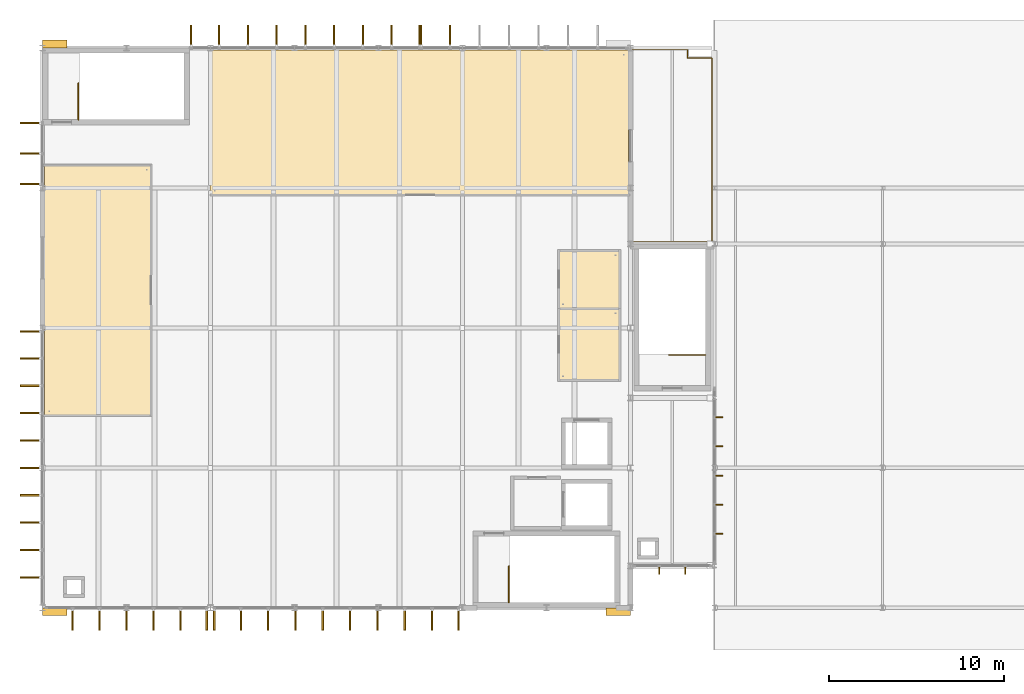
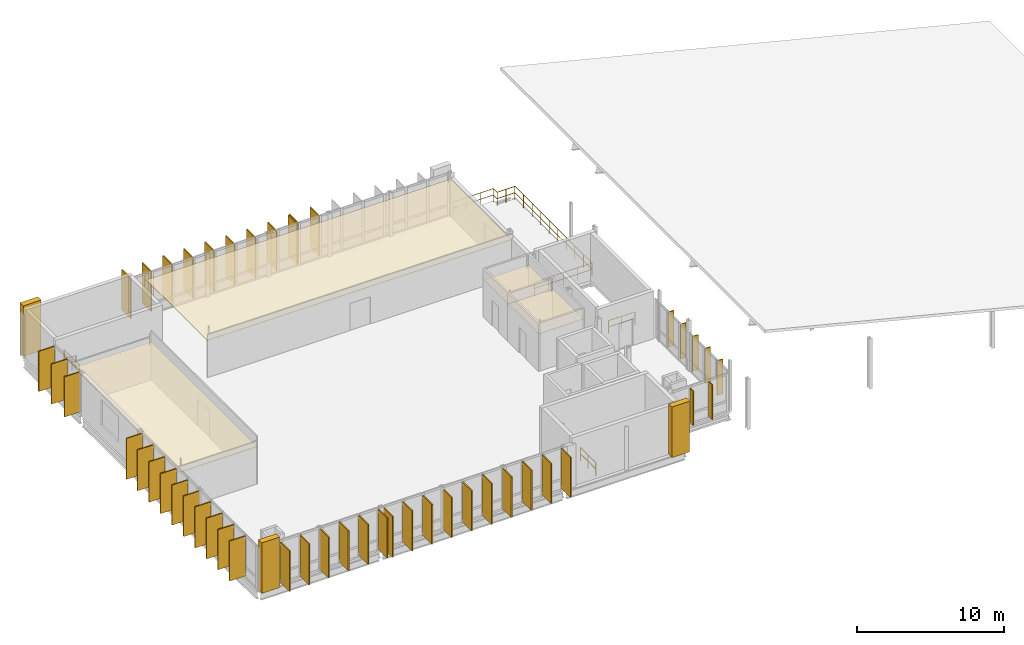
# One storey, part 21 of 22: 47 coverings, 7 shading devices, 4 railings.
"""IFC4 building model written with IfcOpenShell, lengths in metres."""

from ifc_helpers import new_model, si_unit, direction, frame, origin, origin_2d, place, context, subcontext, project, spatial, polyline, rectangle, circle, outline, extrude, material, layer, layer_set, type_object, element, save


model = new_model("IFC4")

# Units and contexts
model_context = context("Model", 3, precision=1e-05, world=origin(), true_north=direction((0.0, 1.0)))
body_context = subcontext(model_context, "Body", "Model", "MODEL_VIEW")
ifc_project = project(units=[si_unit("LENGTHUNIT", "METRE"), si_unit("AREAUNIT", "SQUARE_METRE"), si_unit("VOLUMEUNIT", "CUBIC_METRE"), si_unit("PLANEANGLEUNIT", "RADIAN"), si_unit("MASSUNIT", "GRAM", prefix="KILO")], contexts=[model_context])

# Site, building, storey
site_placement = place(None, origin())
site = spatial("IfcSite", under=ifc_project, at=site_placement, CompositionType="ELEMENT")
building_placement = place(site_placement, origin())
building = spatial("IfcBuilding", under=site, at=building_placement, Name="Dunescarp Central Library", CompositionType="ELEMENT")
storey_placement = place(building_placement, frame((0.0, 0.0, 27.60009765625)))
storey = spatial("IfcBuildingStorey", under=building, at=storey_placement, Name="L06", CompositionType="ELEMENT", Elevation=27.60009765625)

# Coverings
ifc_material_1 = material(Name="Perforated birch acoustic timber baffle", Category="wood")
ifc_layer_1 = layer(ifc_material_1, 0.050048828125)
ifc_layer_set_1 = layer_set([ifc_layer_1], Name="Perforated birch acoustic timber baffle")
covering_type_1 = type_object("IfcCoveringType", Name="ARC-COV-BAFFLE", PredefinedType="CEILING", material=ifc_layer_set_1)
covering_1_placement = place(storey_placement, frame((0.0, 0.0, 3.0498046875)))
element("IfcCovering", 1, at=covering_1_placement, inside=storey, type_object=covering_type_1, Name="L06 ceiling Panoramic Coastal Reading Lounge", PredefinedType="CEILING", context=body_context, shape_type="SweptSolid", body=[
    extrude(outline(polyline([(0.1201171875, 15.780029296875), (6.219970703125, 15.780029296875), (6.219970703125, 30.1201171875), (0.1201171875, 30.1201171875), (0.1201171875, 15.780029296875)])), origin(), (0.0, 0.0, 1.0), 0.050048828125),
])
ifc_material_2 = material(Name="Mineral-fibre acoustic ceiling tile")
ifc_layer_2 = layer(ifc_material_2, 0.0400390625)
ifc_layer_set_2 = layer_set([ifc_layer_2], Name="Mineral-fibre acoustic ceiling tile")
covering_type_2 = type_object("IfcCoveringType", Name="ARC-COV-CEIL40", PredefinedType="CEILING", material=ifc_layer_set_2)
covering_2_placement = place(storey_placement, frame((0.0, 0.0, 3.0498046875)))
element("IfcCovering", 2, at=covering_2_placement, inside=storey, type_object=covering_type_2, Name="L06 ceiling Public Toilets", PredefinedType="CEILING", context=body_context, shape_type="SweptSolid", body=[
    extrude(outline(polyline([(29.47998046875, 17.780029296875), (33.02001953125, 17.780029296875), (33.02001953125, 21.919921875), (29.47998046875, 21.919921875), (29.47998046875, 17.780029296875)])), origin(), (0.0, 0.0, 1.0), 0.0400390625),
])
covering_3_placement = place(storey_placement, frame((0.0, 0.0, 3.0498046875)))
element("IfcCovering", 3, at=covering_3_placement, inside=storey, type_object=covering_type_2, Name="L06 ceiling Accessible Toilet", PredefinedType="CEILING", context=body_context, shape_type="SweptSolid", body=[
    extrude(outline(polyline([(29.47998046875, 21.8798828125), (33.02001953125, 21.8798828125), (33.02001953125, 25.219970703125), (29.47998046875, 25.219970703125), (29.47998046875, 21.8798828125)])), origin(), (0.0, 0.0, 1.0), 0.0400390625),
])
covering_4_placement = place(storey_placement, frame((0.0, 0.0, 3.0498046875)))
element("IfcCovering", 4, at=covering_4_placement, inside=storey, type_object=covering_type_2, Name="L06 ceiling Gridshell Quiet Scholars' Salon", PredefinedType="CEILING", context=body_context, shape_type="SweptSolid", body=[
    extrude(outline(polyline([(9.580078125, 28.3798828125), (33.47998046875, 28.3798828125), (33.47998046875, 36.679931640625), (9.580078125, 36.679931640625), (9.580078125, 28.3798828125)])), origin(), (0.0, 0.0, 1.0), 0.0400390625),
])
ifc_material_3 = material(Name="Glass-fibre reinforced concrete GRC", Category="concrete")
ifc_layer_3 = layer(ifc_material_3, 0.090087890625)
ifc_layer_set_3 = layer_set([ifc_layer_3], Name="Glass-fibre reinforced concrete GRC")
covering_type_3 = type_object("IfcCoveringType", Name="ARC-COV-FIN1250", PredefinedType="CLADDING", material=ifc_layer_set_3)
covering_5_placement = place(storey_placement, frame((9.385009765625, 4.137939453125, 0.1669921875), z_axis=(0.0, 0.0, 1.0), x_axis=(0.0, -1.0, 0.0)))
element("IfcCovering", 5, at=covering_5_placement, inside=storey, type_object=covering_type_3, Name="L06 parametric vertical facade fin FIN-L06-0267", PredefinedType="CLADDING", context=body_context, shape_type="SweptSolid", body=[
    extrude(rectangle(XDim=1.25, YDim=0.090087890625, at=origin_2d()), origin(), (0.0, 0.0, 1.0), 3.327880859375),
])
covering_6_placement = place(storey_placement, frame((7.883056640625, 4.137939453125, 0.180419921875), z_axis=(0.0, 0.0, 1.0), x_axis=(0.0, -1.0, 0.0)))
element("IfcCovering", 6, at=covering_6_placement, inside=storey, type_object=covering_type_3, Name="L06 parametric vertical facade fin FIN-L06-0268", PredefinedType="CLADDING", context=body_context, shape_type="SweptSolid", body=[
    extrude(rectangle(XDim=1.25, YDim=0.090087890625, at=origin_2d()), origin(), (0.0, 0.0, 1.0), 3.31494140625),
])
covering_7_placement = place(storey_placement, frame((6.342041015625, 4.137939453125, 0.163330078125), z_axis=(0.0, 0.0, 1.0), x_axis=(0.0, -1.0, 0.0)))
element("IfcCovering", 7, at=covering_7_placement, inside=storey, type_object=covering_type_3, Name="L06 parametric vertical facade fin FIN-L06-0269", PredefinedType="CLADDING", context=body_context, shape_type="SweptSolid", body=[
    extrude(rectangle(XDim=1.25, YDim=0.090087890625, at=origin_2d()), origin(), (0.0, 0.0, 1.0), 3.3310546875),
])
covering_8_placement = place(storey_placement, frame((4.800048828125, 4.137939453125, 0.122802734375), z_axis=(0.0, 0.0, 1.0), x_axis=(0.0, -1.0, 0.0)))
element("IfcCovering", 8, at=covering_8_placement, inside=storey, type_object=covering_type_3, Name="L06 parametric vertical facade fin FIN-L06-0270", PredefinedType="CLADDING", context=body_context, shape_type="SweptSolid", body=[
    extrude(rectangle(XDim=1.25, YDim=0.090087890625, at=origin_2d()), origin(), (0.0, 0.0, 1.0), 3.3720703125),
])
covering_9_placement = place(storey_placement, frame((3.258056640625, 4.137939453125, 0.080078125), z_axis=(0.0, 0.0, 1.0), x_axis=(0.0, -1.0, 0.0)))
element("IfcCovering", 9, at=covering_9_placement, inside=storey, type_object=covering_type_3, Name="L06 parametric vertical facade fin FIN-L06-0271", PredefinedType="CLADDING", context=body_context, shape_type="SweptSolid", body=[
    extrude(rectangle(XDim=1.25, YDim=0.090087890625, at=origin_2d()), origin(), (0.0, 0.0, 1.0), 3.404052734375),
])
covering_10_placement = place(storey_placement, frame((1.717041015625, 4.137939453125, 0.079833984375), z_axis=(0.0, 0.0, 1.0), x_axis=(0.0, -1.0, 0.0)))
element("IfcCovering", 10, at=covering_10_placement, inside=storey, type_object=covering_type_3, Name="L06 parametric vertical facade fin FIN-L06-0272", PredefinedType="CLADDING", context=body_context, shape_type="SweptSolid", body=[
    extrude(rectangle(XDim=1.25, YDim=0.090087890625, at=origin_2d()), origin(), (0.0, 0.0, 1.0), 3.35400390625),
])
covering_11_placement = place(storey_placement, frame((23.784912109375, 4.137939453125, 0.1669921875), z_axis=(0.0, 0.0, 1.0), x_axis=(0.0, -1.0, 0.0)))
element("IfcCovering", 11, at=covering_11_placement, inside=storey, type_object=covering_type_3, Name="L06 parametric vertical facade fin FIN-L06-0273", PredefinedType="CLADDING", context=body_context, shape_type="SweptSolid", body=[
    extrude(rectangle(XDim=1.25, YDim=0.090087890625, at=origin_2d()), origin(), (0.0, 0.0, 1.0), 3.327880859375),
])
covering_12_placement = place(storey_placement, frame((22.263916015625, 4.137939453125, 0.180419921875), z_axis=(0.0, 0.0, 1.0), x_axis=(0.0, -1.0, 0.0)))
element("IfcCovering", 12, at=covering_12_placement, inside=storey, type_object=covering_type_3, Name="L06 parametric vertical facade fin FIN-L06-0274", PredefinedType="CLADDING", context=body_context, shape_type="SweptSolid", body=[
    extrude(rectangle(XDim=1.25, YDim=0.090087890625, at=origin_2d()), origin(), (0.0, 0.0, 1.0), 3.31494140625),
])
covering_13_placement = place(storey_placement, frame((20.702880859375, 4.137939453125, 0.163330078125), z_axis=(0.0, 0.0, 1.0), x_axis=(0.0, -1.0, 0.0)))
element("IfcCovering", 13, at=covering_13_placement, inside=storey, type_object=covering_type_3, Name="L06 parametric vertical facade fin FIN-L06-0275", PredefinedType="CLADDING", context=body_context, shape_type="SweptSolid", body=[
    extrude(rectangle(XDim=1.25, YDim=0.090087890625, at=origin_2d()), origin(), (0.0, 0.0, 1.0), 3.3310546875),
])
covering_14_placement = place(storey_placement, frame((19.14208984375, 4.137939453125, 0.122802734375), z_axis=(0.0, 0.0, 1.0), x_axis=(0.0, -1.0, 0.0)))
element("IfcCovering", 14, at=covering_14_placement, inside=storey, type_object=covering_type_3, Name="L06 parametric vertical facade fin FIN-L06-0276", PredefinedType="CLADDING", context=body_context, shape_type="SweptSolid", body=[
    extrude(rectangle(XDim=1.25, YDim=0.090087890625, at=origin_2d()), origin(), (0.0, 0.0, 1.0), 3.3720703125),
])
covering_15_placement = place(storey_placement, frame((17.5810546875, 4.137939453125, 0.080078125), z_axis=(0.0, 0.0, 1.0), x_axis=(0.0, -1.0, 0.0)))
element("IfcCovering", 15, at=covering_15_placement, inside=storey, type_object=covering_type_3, Name="L06 parametric vertical facade fin FIN-L06-0277", PredefinedType="CLADDING", context=body_context, shape_type="SweptSolid", body=[
    extrude(rectangle(XDim=1.25, YDim=0.090087890625, at=origin_2d()), origin(), (0.0, 0.0, 1.0), 3.404052734375),
])
covering_16_placement = place(storey_placement, frame((16.01904296875, 4.137939453125, 0.079833984375), z_axis=(0.0, 0.0, 1.0), x_axis=(0.0, -1.0, 0.0)))
element("IfcCovering", 16, at=covering_16_placement, inside=storey, type_object=covering_type_3, Name="L06 parametric vertical facade fin FIN-L06-0278", PredefinedType="CLADDING", context=body_context, shape_type="SweptSolid", body=[
    extrude(rectangle(XDim=1.25, YDim=0.090087890625, at=origin_2d()), origin(), (0.0, 0.0, 1.0), 3.35400390625),
])
covering_17_placement = place(storey_placement, frame((14.4580078125, 4.137939453125, 0.07958984375), z_axis=(0.0, 0.0, 1.0), x_axis=(0.0, -1.0, 0.0)))
element("IfcCovering", 17, at=covering_17_placement, inside=storey, type_object=covering_type_3, Name="L06 parametric vertical facade fin FIN-L06-0279", PredefinedType="CLADDING", context=body_context, shape_type="SweptSolid", body=[
    extrude(rectangle(XDim=1.25, YDim=0.090087890625, at=origin_2d()), origin(), (0.0, 0.0, 1.0), 3.321044921875),
])
covering_18_placement = place(storey_placement, frame((12.89697265625, 4.137939453125, 0.079345703125), z_axis=(0.0, 0.0, 1.0), x_axis=(0.0, -1.0, 0.0)))
element("IfcCovering", 18, at=covering_18_placement, inside=storey, type_object=covering_type_3, Name="L06 parametric vertical facade fin FIN-L06-0280", PredefinedType="CLADDING", context=body_context, shape_type="SweptSolid", body=[
    extrude(rectangle(XDim=1.25, YDim=0.090087890625, at=origin_2d()), origin(), (0.0, 0.0, 1.0), 3.31689453125),
])
covering_19_placement = place(storey_placement, frame((11.3359375, 4.137939453125, 0.08056640625), z_axis=(0.0, 0.0, 1.0), x_axis=(0.0, -1.0, 0.0)))
element("IfcCovering", 19, at=covering_19_placement, inside=storey, type_object=covering_type_3, Name="L06 parametric vertical facade fin FIN-L06-0281", PredefinedType="CLADDING", context=body_context, shape_type="SweptSolid", body=[
    extrude(rectangle(XDim=1.25, YDim=0.090087890625, at=origin_2d()), origin(), (0.0, 0.0, 1.0), 3.341064453125),
])
covering_20_placement = place(storey_placement, frame((9.81494140625, 4.137939453125, 0.07958984375), z_axis=(0.0, 0.0, 1.0), x_axis=(0.0, -1.0, 0.0)))
element("IfcCovering", 20, at=covering_20_placement, inside=storey, type_object=covering_type_3, Name="L06 parametric vertical facade fin FIN-L06-0282", PredefinedType="CLADDING", context=body_context, shape_type="SweptSolid", body=[
    extrude(rectangle(XDim=1.25, YDim=0.090087890625, at=origin_2d()), origin(), (0.0, 0.0, 1.0), 3.386962890625),
])
covering_21_placement = place(storey_placement, frame((21.639892578125, 37.4619140625, 0.1669921875), z_axis=(0.0, 0.0, 1.0), x_axis=(0.0, 1.0, 0.0)))
element("IfcCovering", 21, at=covering_21_placement, inside=storey, type_object=covering_type_3, Name="L06 parametric vertical facade fin FIN-L06-0283", PredefinedType="CLADDING", context=body_context, shape_type="SweptSolid", body=[
    extrude(rectangle(XDim=1.25, YDim=0.090087890625, at=origin_2d()), origin(), (0.0, 0.0, 1.0), 3.327880859375),
])
covering_22_placement = place(storey_placement, frame((23.2890625, 37.4619140625, 0.180419921875), z_axis=(0.0, 0.0, 1.0), x_axis=(0.0, 1.0, 0.0)))
element("IfcCovering", 22, at=covering_22_placement, inside=storey, type_object=covering_type_3, Name="L06 parametric vertical facade fin FIN-L06-0284", PredefinedType="CLADDING", context=body_context, shape_type="SweptSolid", body=[
    extrude(rectangle(XDim=1.25, YDim=0.090087890625, at=origin_2d()), origin(), (0.0, 0.0, 1.0), 3.31494140625),
])
covering_23_placement = place(storey_placement, frame((8.489990234375, 37.4619140625, 0.1669921875), z_axis=(0.0, 0.0, 1.0), x_axis=(0.0, 1.0, 0.0)))
element("IfcCovering", 23, at=covering_23_placement, inside=storey, type_object=covering_type_3, Name="L06 parametric vertical facade fin FIN-L06-0290", PredefinedType="CLADDING", context=body_context, shape_type="SweptSolid", body=[
    extrude(rectangle(XDim=1.25, YDim=0.090087890625, at=origin_2d()), origin(), (0.0, 0.0, 1.0), 3.327880859375),
])
covering_24_placement = place(storey_placement, frame((10.093994140625, 37.4619140625, 0.180419921875), z_axis=(0.0, 0.0, 1.0), x_axis=(0.0, 1.0, 0.0)))
element("IfcCovering", 24, at=covering_24_placement, inside=storey, type_object=covering_type_3, Name="L06 parametric vertical facade fin FIN-L06-0291", PredefinedType="CLADDING", context=body_context, shape_type="SweptSolid", body=[
    extrude(rectangle(XDim=1.25, YDim=0.090087890625, at=origin_2d()), origin(), (0.0, 0.0, 1.0), 3.31494140625),
])
covering_25_placement = place(storey_placement, frame((11.738037109375, 37.4619140625, 0.163330078125), z_axis=(0.0, 0.0, 1.0), x_axis=(0.0, 1.0, 0.0)))
element("IfcCovering", 25, at=covering_25_placement, inside=storey, type_object=covering_type_3, Name="L06 parametric vertical facade fin FIN-L06-0292", PredefinedType="CLADDING", context=body_context, shape_type="SweptSolid", body=[
    extrude(rectangle(XDim=1.25, YDim=0.090087890625, at=origin_2d()), origin(), (0.0, 0.0, 1.0), 3.3310546875),
])
covering_26_placement = place(storey_placement, frame((13.381103515625, 37.4619140625, 0.122802734375), z_axis=(0.0, 0.0, 1.0), x_axis=(0.0, 1.0, 0.0)))
element("IfcCovering", 26, at=covering_26_placement, inside=storey, type_object=covering_type_3, Name="L06 parametric vertical facade fin FIN-L06-0293", PredefinedType="CLADDING", context=body_context, shape_type="SweptSolid", body=[
    extrude(rectangle(XDim=1.25, YDim=0.090087890625, at=origin_2d()), origin(), (0.0, 0.0, 1.0), 3.3720703125),
])
covering_27_placement = place(storey_placement, frame((15.02490234375, 37.4619140625, 0.080078125), z_axis=(0.0, 0.0, 1.0), x_axis=(0.0, 1.0, 0.0)))
element("IfcCovering", 27, at=covering_27_placement, inside=storey, type_object=covering_type_3, Name="L06 parametric vertical facade fin FIN-L06-0294", PredefinedType="CLADDING", context=body_context, shape_type="SweptSolid", body=[
    extrude(rectangle(XDim=1.25, YDim=0.090087890625, at=origin_2d()), origin(), (0.0, 0.0, 1.0), 3.404052734375),
])
covering_28_placement = place(storey_placement, frame((16.6689453125, 37.4619140625, 0.079833984375), z_axis=(0.0, 0.0, 1.0), x_axis=(0.0, 1.0, 0.0)))
element("IfcCovering", 28, at=covering_28_placement, inside=storey, type_object=covering_type_3, Name="L06 parametric vertical facade fin FIN-L06-0295", PredefinedType="CLADDING", context=body_context, shape_type="SweptSolid", body=[
    extrude(rectangle(XDim=1.25, YDim=0.090087890625, at=origin_2d()), origin(), (0.0, 0.0, 1.0), 3.35400390625),
])
covering_29_placement = place(storey_placement, frame((18.31201171875, 37.4619140625, 0.07958984375), z_axis=(0.0, 0.0, 1.0), x_axis=(0.0, 1.0, 0.0)))
element("IfcCovering", 29, at=covering_29_placement, inside=storey, type_object=covering_type_3, Name="L06 parametric vertical facade fin FIN-L06-0296", PredefinedType="CLADDING", context=body_context, shape_type="SweptSolid", body=[
    extrude(rectangle(XDim=1.25, YDim=0.090087890625, at=origin_2d()), origin(), (0.0, 0.0, 1.0), 3.321044921875),
])
covering_30_placement = place(storey_placement, frame((19.9560546875, 37.4619140625, 0.079345703125), z_axis=(0.0, 0.0, 1.0), x_axis=(0.0, 1.0, 0.0)))
element("IfcCovering", 30, at=covering_30_placement, inside=storey, type_object=covering_type_3, Name="L06 parametric vertical facade fin FIN-L06-0297", PredefinedType="CLADDING", context=body_context, shape_type="SweptSolid", body=[
    extrude(rectangle(XDim=1.25, YDim=0.090087890625, at=origin_2d()), origin(), (0.0, 0.0, 1.0), 3.31689453125),
])
covering_31_placement = place(storey_placement, frame((21.56005859375, 37.4619140625, 0.08056640625), z_axis=(0.0, 0.0, 1.0), x_axis=(0.0, 1.0, 0.0)))
element("IfcCovering", 31, at=covering_31_placement, inside=storey, type_object=covering_type_3, Name="L06 parametric vertical facade fin FIN-L06-0298", PredefinedType="CLADDING", context=body_context, shape_type="SweptSolid", body=[
    extrude(rectangle(XDim=1.25, YDim=0.090087890625, at=origin_2d()), origin(), (0.0, 0.0, 1.0), 3.341064453125),
])
covering_32_placement = place(storey_placement, frame((-0.662109375, 6.5400390625, 0.180419921875), z_axis=(0.0, 0.0, 1.0), x_axis=(-1.0, 0.0, 0.0)))
element("IfcCovering", 32, at=covering_32_placement, inside=storey, type_object=covering_type_3, Name="L06 parametric vertical facade fin FIN-L06-0299", PredefinedType="CLADDING", context=body_context, shape_type="SweptSolid", body=[
    extrude(rectangle(XDim=1.25, YDim=0.090087890625, at=origin_2d()), origin(), (0.0, 0.0, 1.0), 3.31494140625),
])
covering_33_placement = place(storey_placement, frame((-0.662109375, 8.10498046875, 0.163330078125), z_axis=(0.0, 0.0, 1.0), x_axis=(-1.0, 0.0, 0.0)))
element("IfcCovering", 33, at=covering_33_placement, inside=storey, type_object=covering_type_3, Name="L06 parametric vertical facade fin FIN-L06-0300", PredefinedType="CLADDING", context=body_context, shape_type="SweptSolid", body=[
    extrude(rectangle(XDim=1.25, YDim=0.090087890625, at=origin_2d()), origin(), (0.0, 0.0, 1.0), 3.3310546875),
])
covering_34_placement = place(storey_placement, frame((-0.662109375, 9.669921875, 0.122802734375), z_axis=(0.0, 0.0, 1.0), x_axis=(-1.0, 0.0, 0.0)))
element("IfcCovering", 34, at=covering_34_placement, inside=storey, type_object=covering_type_3, Name="L06 parametric vertical facade fin FIN-L06-0301", PredefinedType="CLADDING", context=body_context, shape_type="SweptSolid", body=[
    extrude(rectangle(XDim=1.25, YDim=0.090087890625, at=origin_2d()), origin(), (0.0, 0.0, 1.0), 3.3720703125),
])
covering_35_placement = place(storey_placement, frame((-0.662109375, 11.235107421875, 0.080078125), z_axis=(0.0, 0.0, 1.0), x_axis=(-1.0, 0.0, 0.0)))
element("IfcCovering", 35, at=covering_35_placement, inside=storey, type_object=covering_type_3, Name="L06 parametric vertical facade fin FIN-L06-0302", PredefinedType="CLADDING", context=body_context, shape_type="SweptSolid", body=[
    extrude(rectangle(XDim=1.25, YDim=0.090087890625, at=origin_2d()), origin(), (0.0, 0.0, 1.0), 3.404052734375),
])
covering_36_placement = place(storey_placement, frame((-0.662109375, 12.800048828125, 0.079833984375), z_axis=(0.0, 0.0, 1.0), x_axis=(-1.0, 0.0, 0.0)))
element("IfcCovering", 36, at=covering_36_placement, inside=storey, type_object=covering_type_3, Name="L06 parametric vertical facade fin FIN-L06-0303", PredefinedType="CLADDING", context=body_context, shape_type="SweptSolid", body=[
    extrude(rectangle(XDim=1.25, YDim=0.090087890625, at=origin_2d()), origin(), (0.0, 0.0, 1.0), 3.35400390625),
])
covering_37_placement = place(storey_placement, frame((-0.662109375, 14.364990234375, 0.07958984375), z_axis=(0.0, 0.0, 1.0), x_axis=(-1.0, 0.0, 0.0)))
element("IfcCovering", 37, at=covering_37_placement, inside=storey, type_object=covering_type_3, Name="L06 parametric vertical facade fin FIN-L06-0304", PredefinedType="CLADDING", context=body_context, shape_type="SweptSolid", body=[
    extrude(rectangle(XDim=1.25, YDim=0.090087890625, at=origin_2d()), origin(), (0.0, 0.0, 1.0), 3.321044921875),
])
covering_38_placement = place(storey_placement, frame((-0.662109375, 15.929931640625, 0.079345703125), z_axis=(0.0, 0.0, 1.0), x_axis=(-1.0, 0.0, 0.0)))
element("IfcCovering", 38, at=covering_38_placement, inside=storey, type_object=covering_type_3, Name="L06 parametric vertical facade fin FIN-L06-0305", PredefinedType="CLADDING", context=body_context, shape_type="SweptSolid", body=[
    extrude(rectangle(XDim=1.25, YDim=0.090087890625, at=origin_2d()), origin(), (0.0, 0.0, 1.0), 3.31689453125),
])
covering_39_placement = place(storey_placement, frame((-0.662109375, 17.4951171875, 0.08056640625), z_axis=(0.0, 0.0, 1.0), x_axis=(-1.0, 0.0, 0.0)))
element("IfcCovering", 39, at=covering_39_placement, inside=storey, type_object=covering_type_3, Name="L06 parametric vertical facade fin FIN-L06-0306", PredefinedType="CLADDING", context=body_context, shape_type="SweptSolid", body=[
    extrude(rectangle(XDim=1.25, YDim=0.090087890625, at=origin_2d()), origin(), (0.0, 0.0, 1.0), 3.341064453125),
])
covering_40_placement = place(storey_placement, frame((-0.662109375, 19.06005859375, 0.07958984375), z_axis=(0.0, 0.0, 1.0), x_axis=(-1.0, 0.0, 0.0)))
element("IfcCovering", 40, at=covering_40_placement, inside=storey, type_object=covering_type_3, Name="L06 parametric vertical facade fin FIN-L06-0307", PredefinedType="CLADDING", context=body_context, shape_type="SweptSolid", body=[
    extrude(rectangle(XDim=1.25, YDim=0.090087890625, at=origin_2d()), origin(), (0.0, 0.0, 1.0), 3.386962890625),
])
covering_41_placement = place(storey_placement, frame((-0.662109375, 20.5849609375, 0.1064453125), z_axis=(0.0, 0.0, 1.0), x_axis=(-1.0, 0.0, 0.0)))
element("IfcCovering", 41, at=covering_41_placement, inside=storey, type_object=covering_type_3, Name="L06 parametric vertical facade fin FIN-L06-0308", PredefinedType="CLADDING", context=body_context, shape_type="SweptSolid", body=[
    extrude(rectangle(XDim=1.25, YDim=0.090087890625, at=origin_2d()), origin(), (0.0, 0.0, 1.0), 3.388916015625),
])
covering_42_placement = place(storey_placement, frame((-0.662109375, 29.014892578125, 0.1669921875), z_axis=(0.0, 0.0, 1.0), x_axis=(-1.0, 0.0, 0.0)))
element("IfcCovering", 42, at=covering_42_placement, inside=storey, type_object=covering_type_3, Name="L06 parametric vertical facade fin FIN-L06-0309", PredefinedType="CLADDING", context=body_context, shape_type="SweptSolid", body=[
    extrude(rectangle(XDim=1.25, YDim=0.090087890625, at=origin_2d()), origin(), (0.0, 0.0, 1.0), 3.327880859375),
])
covering_43_placement = place(storey_placement, frame((-0.662109375, 30.761962890625, 0.180419921875), z_axis=(0.0, 0.0, 1.0), x_axis=(-1.0, 0.0, 0.0)))
element("IfcCovering", 43, at=covering_43_placement, inside=storey, type_object=covering_type_3, Name="L06 parametric vertical facade fin FIN-L06-0310", PredefinedType="CLADDING", context=body_context, shape_type="SweptSolid", body=[
    extrude(rectangle(XDim=1.25, YDim=0.090087890625, at=origin_2d()), origin(), (0.0, 0.0, 1.0), 3.31494140625),
])
covering_44_placement = place(storey_placement, frame((-0.662109375, 32.510009765625, 0.163330078125), z_axis=(0.0, 0.0, 1.0), x_axis=(-1.0, 0.0, 0.0)))
element("IfcCovering", 44, at=covering_44_placement, inside=storey, type_object=covering_type_3, Name="L06 parametric vertical facade fin FIN-L06-0311", PredefinedType="CLADDING", context=body_context, shape_type="SweptSolid", body=[
    extrude(rectangle(XDim=1.25, YDim=0.090087890625, at=origin_2d()), origin(), (0.0, 0.0, 1.0), 3.3310546875),
])
ifc_layer_4 = layer(ifc_material_3, 0.449951171875)
ifc_layer_set_4 = layer_set([ifc_layer_4], Name="Glass-fibre reinforced concrete GRC")
covering_type_4 = type_object("IfcCoveringType", Name="ARC-COV-PORTAL", PredefinedType="CLADDING", material=ifc_layer_set_4)
for number, where, z_axis, x_axis, name in (
    (45, (0.699951171875, 4.580078125, 0.0), (0.0, 0.0, 1.0), (1.0, 0.0, 0.0), "V1 sculpted GRC portal pier PRT-BAND-V1-105"),
    (46, (0.699951171875, 37.02001953125, 0.0), (0.0, 0.0, 1.0), (1.0, 0.0, 0.0), "V1 sculpted GRC portal pier PRT-BAND-V1-106"),
    (47, (32.89990234375, 4.580078125, 0.0), (0.0, 0.0, 1.0), (1.0, 0.0, 0.0), "V1 sculpted GRC portal pier PRT-BAND-V1-107"),
):
    element("IfcCovering", number, at=place(storey_placement, frame(where, z_axis=z_axis, x_axis=x_axis)), inside=storey, type_object=covering_type_4, Name=name, PredefinedType="CLADDING", context=body_context, shape_type="SweptSolid", body=[
        extrude(rectangle(XDim=1.39990234375, YDim=0.449951171875, at=origin_2d()), origin(), (0.0, 0.0, 1.0), 4.199951171875),
    ])

# Railings
ifc_material_4 = material(Name="Stainless steel Grade 316L", Category="steel")
railing_type_1 = type_object("IfcRailingType", Name="ARC-RL-BAL", PredefinedType="BALUSTRADE", material=ifc_material_4)
railing_1_placement = place(storey_placement, frame((33.72998046875, 25.72998046875, 0.0)))
element("IfcRailing", 48, at=railing_1_placement, inside=storey, type_object=railing_type_1, Name="L06 terrace balustrade TER-L06-V1E", PredefinedType="BALUSTRADE", context=body_context, shape_type="SweptSolid", body=[
    extrude(circle(Radius=0.02392578125, at=origin_2d()), frame((0.0, 0.0, 1.076171875), z_axis=(1.0, 0.0, 0.0), x_axis=(0.0, 1.0, 0.0)), (0.0, 0.0, 1.0), 4.5400390625),
    extrude(circle(Radius=0.02392578125, at=origin_2d()), frame((0.0, 0.0, 0.550048828125), z_axis=(1.0, 0.0, 0.0), x_axis=(0.0, 1.0, 0.0)), (0.0, 0.0, 1.0), 4.5400390625),
    extrude(circle(Radius=0.02392578125, at=origin_2d()), frame((4.5400390625, 0.0, 1.076171875), z_axis=(0.0, 1.0, 0.0), x_axis=(-1.0, 0.0, 0.0)), (0.0, 0.0, 1.0), 10.489990234375),
    extrude(circle(Radius=0.02392578125, at=origin_2d()), frame((4.5400390625, 0.0, 0.550048828125), z_axis=(0.0, 1.0, 0.0), x_axis=(-1.0, 0.0, 0.0)), (0.0, 0.0, 1.0), 10.489990234375),
    extrude(circle(Radius=0.02392578125, at=origin_2d()), frame((4.5400390625, 10.489990234375, 1.076171875), z_axis=(-1.0, 0.0, 0.0), x_axis=(0.0, -1.0, 0.0)), (0.0, 0.0, 1.0), 1.39990234375),
    extrude(circle(Radius=0.02392578125, at=origin_2d()), frame((4.5400390625, 10.489990234375, 0.550048828125), z_axis=(-1.0, 0.0, 0.0), x_axis=(0.0, -1.0, 0.0)), (0.0, 0.0, 1.0), 1.39990234375),
    extrude(circle(Radius=0.02392578125, at=origin_2d()), frame((3.14013671875, 10.489990234375, 1.076171875), z_axis=(0.0, 1.0, 0.0), x_axis=(-1.0, 0.0, 0.0)), (0.0, 0.0, 1.0), 0.5),
    extrude(circle(Radius=0.02392578125, at=origin_2d()), frame((3.14013671875, 10.489990234375, 0.550048828125), z_axis=(0.0, 1.0, 0.0), x_axis=(-1.0, 0.0, 0.0)), (0.0, 0.0, 1.0), 0.5),
    extrude(circle(Radius=0.02392578125, at=origin_2d()), frame((3.14013671875, 10.989990234375, 1.076171875), z_axis=(-1.0, 0.0, 0.0), x_axis=(0.0, -1.0, 0.0)), (0.0, 0.0, 1.0), 3.14013671875),
    extrude(circle(Radius=0.02392578125, at=origin_2d()), frame((3.14013671875, 10.989990234375, 0.550048828125), z_axis=(-1.0, 0.0, 0.0), x_axis=(0.0, -1.0, 0.0)), (0.0, 0.0, 1.0), 3.14013671875),
    extrude(circle(Radius=0.02099609375, at=origin_2d()), origin(), (0.0, 0.0, 1.0), 1.052001953125),
    extrude(circle(Radius=0.02099609375, at=origin_2d()), frame((1.135009765625, 0.0, 0.0)), (0.0, 0.0, 1.0), 1.052001953125),
    extrude(circle(Radius=0.02099609375, at=origin_2d()), frame((2.27001953125, 0.0, 0.0)), (0.0, 0.0, 1.0), 1.052001953125),
    extrude(circle(Radius=0.02099609375, at=origin_2d()), frame((3.405029296875, 0.0, 0.0)), (0.0, 0.0, 1.0), 1.052001953125),
    extrude(circle(Radius=0.02099609375, at=origin_2d()), frame((4.5400390625, 0.0, 0.0)), (0.0, 0.0, 1.0), 1.052001953125),
    extrude(circle(Radius=0.02099609375, at=origin_2d()), frame((4.5400390625, 1.16552734375, 0.0)), (0.0, 0.0, 1.0), 1.052001953125),
    extrude(circle(Radius=0.02099609375, at=origin_2d()), frame((4.5400390625, 2.3310546875, 0.0)), (0.0, 0.0, 1.0), 1.052001953125),
    extrude(circle(Radius=0.02099609375, at=origin_2d()), frame((4.5400390625, 3.49658203125, 0.0)), (0.0, 0.0, 1.0), 1.052001953125),
    extrude(circle(Radius=0.02099609375, at=origin_2d()), frame((4.5400390625, 4.662109375, 0.0)), (0.0, 0.0, 1.0), 1.052001953125),
    extrude(circle(Radius=0.02099609375, at=origin_2d()), frame((4.5400390625, 5.827880859375, 0.0)), (0.0, 0.0, 1.0), 1.052001953125),
    extrude(circle(Radius=0.02099609375, at=origin_2d()), frame((4.5400390625, 6.993408203125, 0.0)), (0.0, 0.0, 1.0), 1.052001953125),
    extrude(circle(Radius=0.02099609375, at=origin_2d()), frame((4.5400390625, 8.158935546875, 0.0)), (0.0, 0.0, 1.0), 1.052001953125),
    extrude(circle(Radius=0.02099609375, at=origin_2d()), frame((4.5400390625, 9.324462890625, 0.0)), (0.0, 0.0, 1.0), 1.052001953125),
    extrude(circle(Radius=0.02099609375, at=origin_2d()), frame((4.5400390625, 10.489990234375, 0.0)), (0.0, 0.0, 1.0), 1.052001953125),
    extrude(circle(Radius=0.02099609375, at=origin_2d()), frame((3.840087890625, 10.489990234375, 0.0)), (0.0, 0.0, 1.0), 1.052001953125),
    extrude(circle(Radius=0.02099609375, at=origin_2d()), frame((3.14013671875, 10.489990234375, 0.0)), (0.0, 0.0, 1.0), 1.052001953125),
    extrude(circle(Radius=0.02099609375, at=origin_2d()), frame((3.14013671875, 10.989990234375, 0.0)), (0.0, 0.0, 1.0), 1.052001953125),
    extrude(circle(Radius=0.02099609375, at=origin_2d()), frame((2.093505859375, 10.989990234375, 0.0)), (0.0, 0.0, 1.0), 1.052001953125),
    extrude(circle(Radius=0.02099609375, at=origin_2d()), frame((1.046630859375, 10.989990234375, 0.0)), (0.0, 0.0, 1.0), 1.052001953125),
    extrude(circle(Radius=0.02099609375, at=origin_2d()), frame((0.0, 10.989990234375, 0.0)), (0.0, 0.0, 1.0), 1.052001953125),
])
railing_type_2 = type_object("IfcRailingType", Name="ARC-RL-GUARD", PredefinedType="GUARDRAIL", material=ifc_material_4)
railing_2_placement = place(storey_placement, frame((26.64990234375, 5.10009765625, 0.0)))
element("IfcRailing", 49, at=railing_2_placement, inside=storey, type_object=railing_type_2, Name="L06 ST-1 top well guard 1", PredefinedType="GUARDRAIL", context=body_context, shape_type="SweptSolid", body=[
    extrude(circle(Radius=0.02392578125, at=origin_2d()), frame((0.0, 0.0, 1.076171875), z_axis=(0.0, 1.0, 0.0), x_axis=(-1.0, 0.0, 0.0)), (0.0, 0.0, 1.0), 2.079833984375),
    extrude(circle(Radius=0.02392578125, at=origin_2d()), frame((0.0, 0.0, 0.550048828125), z_axis=(0.0, 1.0, 0.0), x_axis=(-1.0, 0.0, 0.0)), (0.0, 0.0, 1.0), 2.079833984375),
    extrude(circle(Radius=0.02099609375, at=origin_2d()), origin(), (0.0, 0.0, 1.0), 1.052001953125),
    extrude(circle(Radius=0.02099609375, at=origin_2d()), frame((0.0, 1.0400390625, 0.0)), (0.0, 0.0, 1.0), 1.052001953125),
    extrude(circle(Radius=0.02099609375, at=origin_2d()), frame((0.0, 2.079833984375, 0.0)), (0.0, 0.0, 1.0), 1.052001953125),
])
railing_3_placement = place(storey_placement, frame((2.050048828125, 32.699951171875, 0.0)))
element("IfcRailing", 50, at=railing_3_placement, inside=storey, type_object=railing_type_2, Name="L06 ST-6 top well guard 1", PredefinedType="GUARDRAIL", context=body_context, shape_type="SweptSolid", body=[
    extrude(circle(Radius=0.02392578125, at=origin_2d()), frame((0.0, 0.0, 1.076171875), z_axis=(0.0, 1.0, 0.0), x_axis=(-1.0, 0.0, 0.0)), (0.0, 0.0, 1.0), 2.080078125),
    extrude(circle(Radius=0.02392578125, at=origin_2d()), frame((0.0, 0.0, 0.550048828125), z_axis=(0.0, 1.0, 0.0), x_axis=(-1.0, 0.0, 0.0)), (0.0, 0.0, 1.0), 2.080078125),
    extrude(circle(Radius=0.02099609375, at=origin_2d()), origin(), (0.0, 0.0, 1.0), 1.052001953125),
    extrude(circle(Radius=0.02099609375, at=origin_2d()), frame((0.0, 1.0400390625, 0.0)), (0.0, 0.0, 1.0), 1.052001953125),
    extrude(circle(Radius=0.02099609375, at=origin_2d()), frame((0.0, 2.080078125, 0.0)), (0.0, 0.0, 1.0), 1.052001953125),
])
railing_4_placement = place(storey_placement, frame((37.89990234375, 19.25, 0.0)))
element("IfcRailing", 51, at=railing_4_placement, inside=storey, type_object=railing_type_2, Name="L06 ST-2 top well guard 1", PredefinedType="GUARDRAIL", context=body_context, shape_type="SweptSolid", body=[
    extrude(circle(Radius=0.02392578125, at=origin_2d()), frame((0.0, 0.0, 1.076171875), z_axis=(-1.0, 0.0, 0.0), x_axis=(0.0, -1.0, 0.0)), (0.0, 0.0, 1.0), 2.079833984375),
    extrude(circle(Radius=0.02392578125, at=origin_2d()), frame((0.0, 0.0, 0.550048828125), z_axis=(-1.0, 0.0, 0.0), x_axis=(0.0, -1.0, 0.0)), (0.0, 0.0, 1.0), 2.079833984375),
    extrude(circle(Radius=0.02099609375, at=origin_2d()), origin(), (0.0, 0.0, 1.0), 1.052001953125),
    extrude(circle(Radius=0.02099609375, at=origin_2d()), frame((-1.0400390625, 0.0, 0.0)), (0.0, 0.0, 1.0), 1.052001953125),
    extrude(circle(Radius=0.02099609375, at=origin_2d()), frame((-2.079833984375, 0.0, 0.0)), (0.0, 0.0, 1.0), 1.052001953125),
])

# Shading devices
ifc_material_5 = material(Name="Marine-grade anodised aluminium 6063-T6", Category="aluminium")
ifc_layer_5 = layer(ifc_material_5, 0.06005859375)
ifc_layer_set_5 = layer_set([ifc_layer_5], Name="Marine-grade anodised aluminium 6063-T6")
shading_device_type = type_object("IfcShadingDeviceType", Name="ARC-SHD-FIN", PredefinedType="USERDEFINED", material=ifc_layer_set_5)
for number, where, z_axis, x_axis, name in (
    (52, (36.741943359375, 6.93896484375, 0.150390625), (0.0, 0.0, 1.0), (0.0, -1.0, 0.0), "L06 link sunshade fin SHDF-L06-1097"),
    (53, (35.258056640625, 6.93896484375, 0.150390625), (0.0, 0.0, 1.0), (0.0, -1.0, 0.0), "L06 link sunshade fin SHDF-L06-1098"),
    (54, (38.660888671875, 15.68798828125, 0.150390625), (0.0, 0.0, 1.0), (1.0, 0.0, 0.0), "L06 link sunshade fin SHDF-L06-1099"),
    (55, (38.660888671875, 14.02490234375, 0.150390625), (0.0, 0.0, 1.0), (1.0, 0.0, 0.0), "L06 link sunshade fin SHDF-L06-1100"),
    (56, (38.660888671875, 12.363037109375, 0.150390625), (0.0, 0.0, 1.0), (1.0, 0.0, 0.0), "L06 link sunshade fin SHDF-L06-1101"),
    (57, (38.660888671875, 10.699951171875, 0.150390625), (0.0, 0.0, 1.0), (1.0, 0.0, 0.0), "L06 link sunshade fin SHDF-L06-1102"),
    (58, (38.660888671875, 9.037109375, 0.150390625), (0.0, 0.0, 1.0), (1.0, 0.0, 0.0), "L06 link sunshade fin SHDF-L06-1103"),
):
    element("IfcShadingDevice", number, at=place(storey_placement, frame(where, z_axis=z_axis, x_axis=x_axis)), inside=storey, type_object=shading_device_type, Name=name, ObjectType="FIN", PredefinedType="USERDEFINED", context=body_context, shape_type="SweptSolid", body=[
        extrude(rectangle(XDim=0.449951171875, YDim=0.06005859375, at=origin_2d()), origin(), (0.0, 0.0, 1.0), 2.885009765625),
    ])

save(model, "model.ifc")
